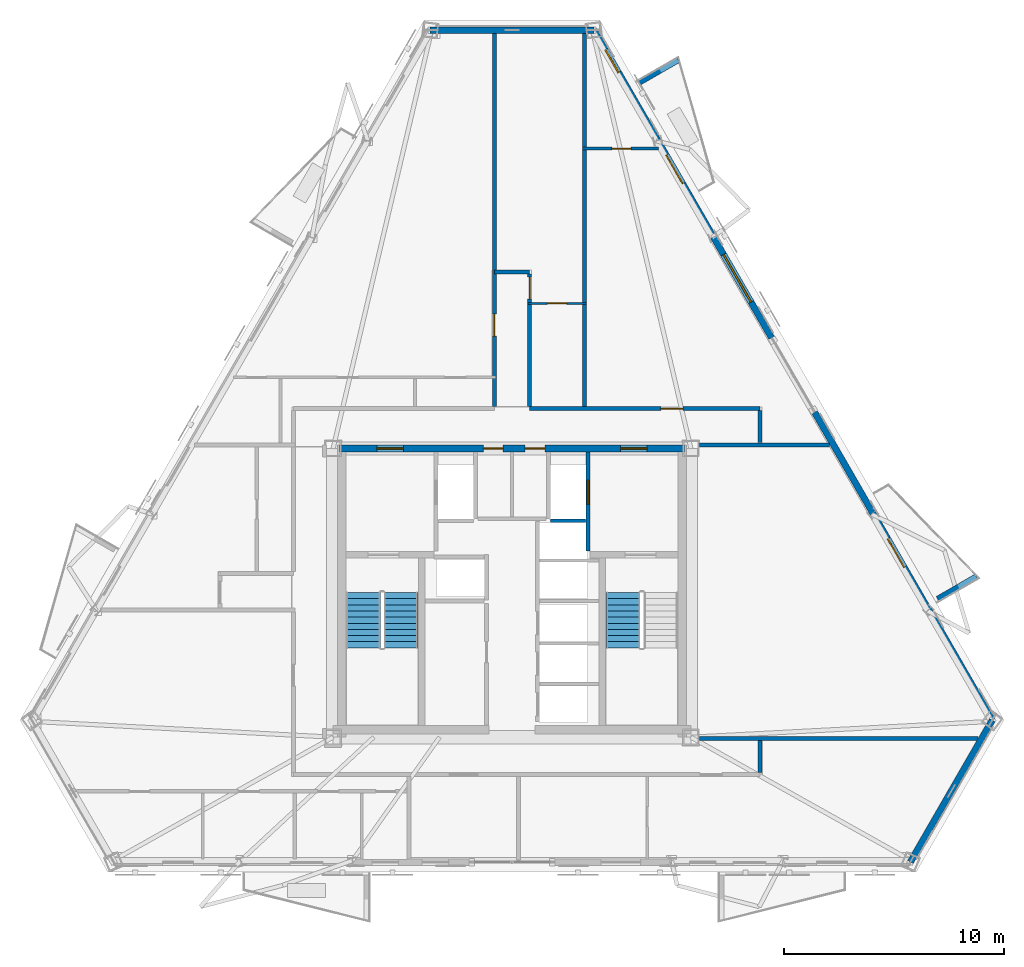
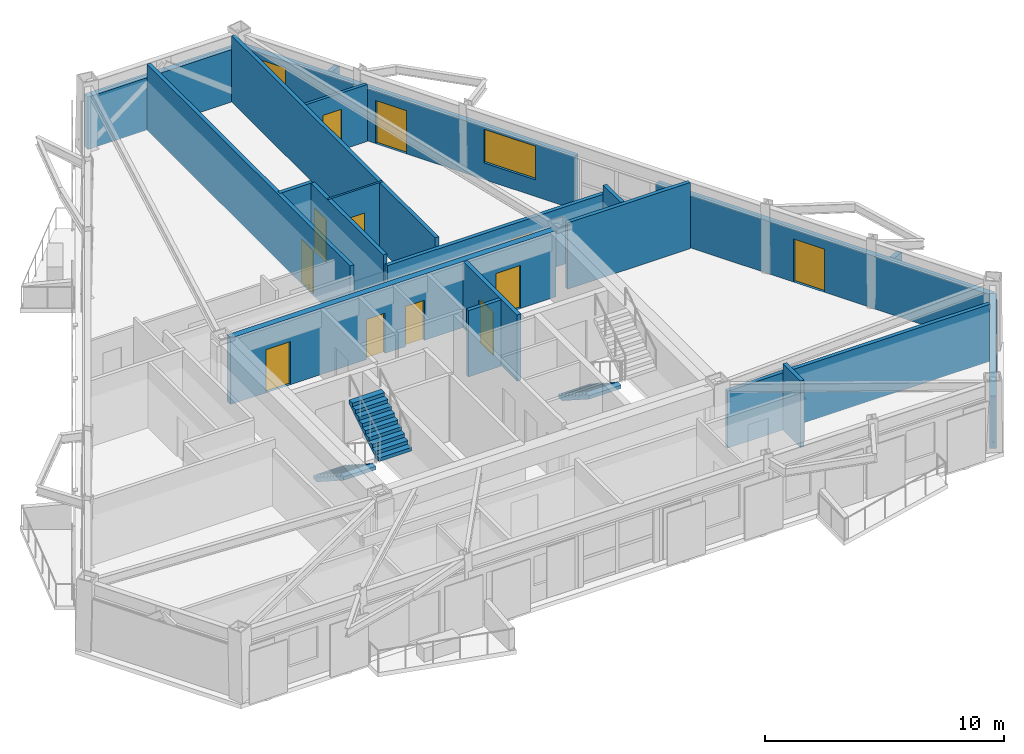
# One storey, part 8 of 13: 20 walls, 12 doors, 3 stair flights, 2 windows, 14 openings, 2 elements without a shape of their own.
"""IFC4 building model written with IfcOpenShell, lengths in metres."""

from ifc_helpers import new_model, si_unit, direction, frame, frame_2d, origin, place, context, subcontext, project, spatial, polyline, rectangle, outline, extrude, material, layer, layer_set, type_object, element, fill, aggregate, save


model = new_model("IFC4")

# Units and contexts
model_context = context("Model", 3, precision=1e-05, world=origin(), true_north=direction((0.0, 1.0)))
body_context = subcontext(model_context, "Body", "Model", "MODEL_VIEW")
ifc_project = project(units=[si_unit("LENGTHUNIT", "METRE"), si_unit("AREAUNIT", "SQUARE_METRE"), si_unit("VOLUMEUNIT", "CUBIC_METRE"), si_unit("PLANEANGLEUNIT", "RADIAN"), si_unit("MASSUNIT", "GRAM", prefix="KILO")], contexts=[model_context])

# Site, building, storey
site_placement = place(None, origin())
site = spatial("IfcSite", under=ifc_project, at=site_placement, CompositionType="ELEMENT")
building_placement = place(site_placement, origin())
building = spatial("IfcBuilding", under=site, at=building_placement, Name="Oramaril Tower", CompositionType="ELEMENT")
storey_placement = place(building_placement, frame((0.0, 0.0, 197.39990234375)))
storey = spatial("IfcBuildingStorey", under=building, at=storey_placement, Name="L52", CompositionType="ELEMENT", Elevation=197.39990234375)

# Wall
ifc_material_1 = material(Name="Warm Cream Limestone", Category="masonry")
ifc_layer_1 = layer(ifc_material_1, 0.2900390625)
ifc_layer_set_1 = layer_set([ifc_layer_1], Name="WT-EXT29")
wall_type_1 = type_object("IfcWallType", Name="WT-EXT29", PredefinedType="SOLIDWALL", material=ifc_layer_set_1)
wall_1_placement = place(storey_placement, frame((55.646728515625, 5.3115234375, 0.0), z_axis=(0.0, 0.0, 1.0), x_axis=(0.499999788377, 0.866025525965, 0.0)))
element("IfcWall", 1, at=wall_1_placement, inside=storey, type_object=wall_type_1, Name="L52 Tower Limestone Facade Wall 3M", PredefinedType="SOLIDWALL", context=body_context, shape_type="SweptSolid", body=[
    extrude(rectangle(XDim=7.4677734375, YDim=0.2900390625, at=frame_2d((3.73388671875, 0.0))), origin(), (0.0, 0.0, 1.0), 2.677001953125),
])

# Wall, opening, door
wall_2_placement = place(storey_placement, frame((59.380615234375, 11.77880859375, 0.0), z_axis=(0.0, 0.0, 1.0), x_axis=(-0.500005595877, 0.866022172979, 0.0)))
wall_2 = element("IfcWall", 2, at=wall_2_placement, inside=storey, type_object=wall_type_1, Name="L52 Tower Limestone Facade Wall 4L", PredefinedType="SOLIDWALL", context=body_context, shape_type="SweptSolid", body=[
    extrude(rectangle(XDim=16.196533203125, YDim=0.2900390625, at=frame_2d((8.09814453125, 0.0))), origin(), (0.0, 0.0, 1.0), 2.677001953125),
])
opening_1_placement = place(wall_2_placement, frame((8.034423828125, 0.0, 0.0)))
opening_1 = element("IfcOpeningElement", 3, at=opening_1_placement, cuts=wall_2, Name="Opening D-L52-BAL-NE1", PredefinedType="OPENING", context=body_context, shape_type="SweptSolid", body=[
    extrude(rectangle(XDim=1.5, YDim=2.199951171875, at=frame_2d((0.75, 1.10009765625))), frame((0.0, 0.14501953125, 0.0), z_axis=(0.0, -1.0, 0.0), x_axis=(1.0, 0.0, 0.0)), (0.0, 0.0, 1.0), 0.2900390625),
])
ifc_material_2 = material(Name="Anodised Aluminium 6063-T6", Category="aluminium")
door_type_1 = type_object("IfcDoorType", Name="DT-BAL", OperationType="NOTDEFINED", PredefinedType="DOOR", material=ifc_material_2)
door_1_placement = place(opening_1_placement, origin())
door_1 = element("IfcDoor", 4, at=door_1_placement, inside=storey, type_object=door_type_1, Name="L52 Balcony Glazed Door L52-BAL-NE1", OperationType="SINGLE_SWING_LEFT", OverallHeight=2.199951171875, OverallWidth=1.5, PredefinedType="DOOR", context=body_context, shape_type="SweptSolid", body=[
    extrude(rectangle(XDim=1.5, YDim=2.199951171875, at=frame_2d((0.75, 1.10009765625))), frame((0.0, 0.02490234375, 0.0), z_axis=(0.0, -1.0, 0.0), x_axis=(1.0, 0.0, 0.0)), (0.0, 0.0, 1.0), 0.050048828125),
])
fill(opening_1, door_1)

# Wall, openings, door, windows
wall_3_placement = place(storey_placement, frame((49.332275390625, 29.18310546875, 0.0), z_axis=(0.0, 0.0, 1.0), x_axis=(-0.499999068849, 0.866025941384, 0.0)))
wall_3 = element("IfcWall", 5, at=wall_3_placement, inside=storey, type_object=wall_type_1, Name="L52 Tower Limestone Facade Wall 4R", PredefinedType="SOLIDWALL", context=body_context, shape_type="SweptSolid", body=[
    extrude(rectangle(XDim=16.19677734375, YDim=0.2900390625, at=frame_2d((8.098388671875, 0.0))), origin(), (0.0, 0.0, 1.0), 2.677001953125),
])
opening_2_placement = place(wall_3_placement, frame((8.117431640625, 0.0, 0.0)))
opening_2 = element("IfcOpeningElement", 6, at=opening_2_placement, cuts=wall_3, Name="Opening D-L52-BAL-NE2", PredefinedType="OPENING", context=body_context, shape_type="SweptSolid", body=[
    extrude(rectangle(XDim=1.5, YDim=2.199951171875, at=frame_2d((0.75, 1.10009765625))), frame((0.0, 0.14501953125, 0.0), z_axis=(0.0, -1.0, 0.0), x_axis=(1.0, 0.0, 0.0)), (0.0, 0.0, 1.0), 0.2900390625),
])
opening_3_placement = place(wall_3_placement, frame((13.9560546875, 0.0, 0.85009765625)))
opening_3 = element("IfcOpeningElement", 7, at=opening_3_placement, cuts=wall_3, Name="Opening WN-09", PredefinedType="OPENING", context=body_context, shape_type="SweptSolid", body=[
    extrude(rectangle(XDim=1.199951171875, YDim=1.47998046875, at=frame_2d((0.60009765625, 0.739990234375))), frame((0.0, 0.14501953125, 0.0), z_axis=(0.0, -1.0, 0.0), x_axis=(1.0, 0.0, 0.0)), (0.0, 0.0, 1.0), 0.2900390625),
])
opening_4_placement = place(wall_3_placement, frame((1.889404296875, 0.0, 0.85009765625)))
opening_4 = element("IfcOpeningElement", 8, at=opening_4_placement, cuts=wall_3, Name="Opening WN-11", PredefinedType="OPENING", context=body_context, shape_type="SweptSolid", body=[
    extrude(rectangle(XDim=2.5, YDim=1.717041015625, at=frame_2d((1.25, 0.8583984375))), frame((0.0, 0.14501953125, 0.0), z_axis=(0.0, -1.0, 0.0), x_axis=(1.0, 0.0, 0.0)), (0.0, 0.0, 1.0), 0.2900390625),
])
door_2_placement = place(opening_2_placement, origin())
door_2 = element("IfcDoor", 9, at=door_2_placement, inside=storey, type_object=door_type_1, Name="L52 Balcony Glazed Door L52-BAL-NE2", OperationType="SINGLE_SWING_RIGHT", OverallHeight=2.199951171875, OverallWidth=1.5, PredefinedType="DOOR", context=body_context, shape_type="SweptSolid", body=[
    extrude(rectangle(XDim=1.5, YDim=2.199951171875, at=frame_2d((0.75, 1.10009765625))), frame((0.0, 0.02490234375, 0.0), z_axis=(0.0, -1.0, 0.0), x_axis=(1.0, 0.0, 0.0)), (0.0, 0.0, 1.0), 0.050048828125),
])
fill(opening_2, door_2)
ifc_material_3 = material(Name="Coastal Low-E Insulated Glass", Category="glass")
window_type_1 = type_object("IfcWindowType", Name="WNT-09", PartitioningType="SINGLE_PANEL", PredefinedType="WINDOW", material=ifc_material_3)
window_1_placement = place(opening_3_placement, origin())
window_1 = element("IfcWindow", 10, at=window_1_placement, inside=storey, type_object=window_type_1, Name="L52 Chicago Bay Window WN-09", OverallHeight=1.47998046875, OverallWidth=1.199951171875, PartitioningType="SINGLE_PANEL", PredefinedType="WINDOW", context=body_context, shape_type="SweptSolid", body=[
    extrude(rectangle(XDim=1.199951171875, YDim=1.47998046875, at=frame_2d((0.60009765625, 0.739990234375))), frame((0.0, 0.030029296875, 0.0), z_axis=(0.0, -1.0, 0.0), x_axis=(1.0, 0.0, 0.0)), (0.0, 0.0, 1.0), 0.06005859375),
])
fill(opening_3, window_1)
ifc_material_4 = material(Name="Coastal Low-E Insulated Glass", Category="glass")
window_type_2 = type_object("IfcWindowType", Name="WNT-11", PartitioningType="SINGLE_PANEL", PredefinedType="WINDOW", material=ifc_material_4)
window_2_placement = place(opening_4_placement, origin())
window_2 = element("IfcWindow", 11, at=window_2_placement, inside=storey, type_object=window_type_2, Name="L52 Chicago Bay Window WN-11", OverallHeight=1.717041015625, OverallWidth=2.5, PartitioningType="SINGLE_PANEL", PredefinedType="WINDOW", context=body_context, shape_type="SweptSolid", body=[
    extrude(rectangle(XDim=2.5, YDim=1.717041015625, at=frame_2d((1.25, 0.8583984375))), frame((0.0, 0.030029296875, 0.0), z_axis=(0.0, -1.0, 0.0), x_axis=(1.0, 0.0, 0.0)), (0.0, 0.0, 1.0), 0.06005859375),
])
fill(opening_4, window_2)

# Walls
wall_4_placement = place(storey_placement, frame((41.23388671875, 43.2099609375, 0.0), z_axis=(0.0, 0.0, 1.0), x_axis=(-1.0, 0.0, 0.0)))
element("IfcWall", 12, at=wall_4_placement, inside=storey, type_object=wall_type_1, Name="L52 Tower Limestone Facade Wall 5M", PredefinedType="SOLIDWALL", context=body_context, shape_type="SweptSolid", body=[
    extrude(rectangle(XDim=7.4677734375, YDim=0.2900390625, at=frame_2d((3.73388671875, 0.0))), origin(), (0.0, 0.0, 1.0), 2.677001953125),
])
ifc_material_5 = material(Name="Concrete C40/50", Category="concrete")
ifc_layer_2 = layer(ifc_material_5, 0.22998046875)
ifc_layer_set_2 = layer_set([ifc_layer_2], Name="WT-PRP23")
wall_type_2 = type_object("IfcWallType", Name="WT-PRP23", PredefinedType="PARAPET", material=ifc_layer_set_2)
for number, where, z_axis, x_axis, name in (
    (13, (56.87890625, 17.30810546875, 0.0), (0.0, 0.0, 1.0), (0.866012356593, 0.500022597718, 0.0), "L52 Trapezoidal Balcony Frame Cheek L52-BAL-NE1-L"),
    (14, (43.308837890625, 40.811767578125, 0.0), (0.0, 0.0, 1.0), (0.866042246008, 0.499970827278, 0.0), "L52 Trapezoidal Balcony Frame Cheek L52-BAL-NE2-R"),
):
    element("IfcWall", number, at=place(storey_placement, frame(where, z_axis=z_axis, x_axis=x_axis)), inside=storey, type_object=wall_type_2, Name=name, PredefinedType="PARAPET", context=body_context, shape_type="SweptSolid", body=[
        extrude(outline(polyline([(0.0, 0.0), (2.0419921875, 0.0), (2.0419921875, 1.10009765625), (0.0, 1.320068359375), (0.0, 0.0)])), frame((0.0, 0.114990234375, 0.0), z_axis=(0.0, -1.0, 0.0), x_axis=(1.0, 0.0, 0.0)), (0.0, 0.0, 1.0), 0.22998046875),
    ])

# Wall, opening, door
ifc_material_6 = material(Name="Acoustic Gypsum Board Partition")
ifc_layer_3 = layer(ifc_material_6, 0.10009765625)
ifc_layer_set_3 = layer_set([ifc_layer_3], Name="WT-PT10")
wall_type_3 = type_object("IfcWallType", Name="WT-PT10", PredefinedType="PARTITIONING", material=ifc_layer_set_3)
wall_5_placement = place(storey_placement, frame((38.218017578125, 30.760009765625, 0.0), z_axis=(0.0, 0.0, 1.0), x_axis=(1.0, 0.0, 0.0)))
wall_5 = element("IfcWall", 15, at=wall_5_placement, inside=storey, type_object=wall_type_3, Name="L52 Interior Partition PT-10", PredefinedType="PARTITIONING", context=body_context, shape_type="SweptSolid", body=[
    extrude(rectangle(XDim=2.6640625, YDim=0.10009765625, at=frame_2d((1.33203125, 0.0))), origin(), (0.0, 0.0, 1.0), 3.380126953125),
])
opening_5_placement = place(wall_5_placement, frame((0.89208984375, 0.0, 0.0)))
opening_5 = element("IfcOpeningElement", 16, at=opening_5_placement, cuts=wall_5, Name="Opening D-L52-11", PredefinedType="OPENING", context=body_context, shape_type="SweptSolid", body=[
    extrude(rectangle(XDim=0.8798828125, YDim=2.080078125, at=frame_2d((0.43994140625, 1.0400390625))), frame((0.0, 0.050048828125, 0.0), z_axis=(0.0, -1.0, 0.0), x_axis=(1.0, 0.0, 0.0)), (0.0, 0.0, 1.0), 0.10009765625),
])
ifc_material_7 = material(Name="FSC Brazilian Freijo Hardwood", Category="wood")
door_type_2 = type_object("IfcDoorType", Name="DT-BATH", OperationType="NOTDEFINED", PredefinedType="DOOR", material=ifc_material_7)
door_3_placement = place(opening_5_placement, origin())
door_3 = element("IfcDoor", 17, at=door_3_placement, inside=storey, type_object=door_type_2, Name="L52 Flat L52-U6 Bathroom Door D-L52-11", OperationType="SINGLE_SWING_LEFT", OverallHeight=2.080078125, OverallWidth=0.8798828125, PredefinedType="DOOR", context=body_context, shape_type="SweptSolid", body=[
    extrude(rectangle(XDim=0.8798828125, YDim=2.080078125, at=frame_2d((0.43994140625, 1.0400390625))), frame((0.0, 0.02490234375, 0.0), z_axis=(0.0, -1.0, 0.0), x_axis=(1.0, 0.0, 0.0)), (0.0, 0.0, 1.0), 0.050048828125),
])
fill(opening_5, door_3)

ifc_material_8 = material(Name="Acoustic Gypsum Board Partition")
ifc_layer_4 = layer(ifc_material_8, 0.139892578125)
ifc_layer_set_4 = layer_set([ifc_layer_4], Name="WT-PT14")
wall_type_4 = type_object("IfcWallType", Name="WT-PT14", PredefinedType="PARTITIONING", material=ifc_layer_set_4)
wall_6_placement = place(storey_placement, frame((40.718017578125, 37.81005859375, 0.0), z_axis=(0.0, 0.0, 1.0), x_axis=(1.0, 0.0, 0.0)))
wall_6 = element("IfcWall", 18, at=wall_6_placement, inside=storey, type_object=wall_type_4, Name="L52 Interior Partition PT-14", PredefinedType="PARTITIONING", context=body_context, shape_type="SweptSolid", body=[
    extrude(rectangle(XDim=3.46142578125, YDim=0.139892578125, at=frame_2d((1.730712890625, 0.0))), origin(), (0.0, 0.0, 1.0), 2.9130859375),
])
opening_6_placement = place(wall_6_placement, frame((1.3310546875, 0.0, 0.0)))
opening_6 = element("IfcOpeningElement", 19, at=opening_6_placement, cuts=wall_6, Name="Opening D-L52-12", PredefinedType="OPENING", context=body_context, shape_type="SweptSolid", body=[
    extrude(rectangle(XDim=0.8798828125, YDim=2.080078125, at=frame_2d((0.43994140625, 1.0400390625))), frame((0.0, 0.06982421875, 0.0), z_axis=(0.0, -1.0, 0.0), x_axis=(1.0, 0.0, 0.0)), (0.0, 0.0, 1.0), 0.139892578125),
])
door_4_placement = place(opening_6_placement, origin())
door_4 = element("IfcDoor", 20, at=door_4_placement, inside=storey, type_object=door_type_2, Name="L52 Flat L52-U7 Bathroom Door D-L52-12", OperationType="SINGLE_SWING_RIGHT", OverallHeight=2.080078125, OverallWidth=0.8798828125, PredefinedType="DOOR", context=body_context, shape_type="SweptSolid", body=[
    extrude(rectangle(XDim=0.8798828125, YDim=2.080078125, at=frame_2d((0.43994140625, 1.0400390625))), frame((0.0, 0.02490234375, 0.0), z_axis=(0.0, -1.0, 0.0), x_axis=(1.0, 0.0, 0.0)), (0.0, 0.0, 1.0), 0.050048828125),
])
fill(opening_6, door_4)

# Walls
ifc_material_9 = material(Name="Autoclaved Cellular Concrete Block", Category="concrete")
ifc_layer_5 = layer(ifc_material_9, 0.179931640625)
ifc_layer_set_5 = layer_set([ifc_layer_5], Name="WT-PT18")
wall_type_5 = type_object("IfcWallType", Name="WT-PT18", PredefinedType="PARTITIONING", material=ifc_layer_set_5)
wall_7_placement = place(storey_placement, frame((39.260009765625, 20.860107421875, 0.0), z_axis=(0.0, 0.0, 1.0), x_axis=(1.0, 0.0, 0.0)))
element("IfcWall", 21, at=wall_7_placement, inside=storey, type_object=wall_type_5, Name="L52 FL-2 South Shaft Wall", PredefinedType="PARTITIONING", context=body_context, shape_type="SweptSolid", body=[
    extrude(rectangle(XDim=1.580078125, YDim=0.179931640625, at=frame_2d((0.7900390625, 0.0))), origin(), (0.0, 0.0, 1.0), 3.380126953125),
])
wall_8_placement = place(storey_placement, frame((46.0400390625, 10.949951171875, 0.0), z_axis=(0.0, 0.0, 1.0), x_axis=(1.0, 0.0, 0.0)))
element("IfcWall", 22, at=wall_8_placement, inside=storey, type_object=wall_type_5, Name="L52 Interior Partition PT-18", PredefinedType="PARTITIONING", context=body_context, shape_type="SweptSolid", body=[
    extrude(rectangle(XDim=12.68994140625, YDim=0.179931640625, at=frame_2d((6.344970703125, 0.0))), origin(), (0.0, 0.0, 1.0), 2.9130859375),
])
wall_9_placement = place(storey_placement, frame((46.0400390625, 24.320068359375, 0.0), z_axis=(0.0, 0.0, 1.0), x_axis=(1.0, 0.0, 0.0)))
element("IfcWall", 23, at=wall_9_placement, inside=storey, type_object=wall_type_5, Name="L52 Interior Partition PT-18", PredefinedType="PARTITIONING", context=body_context, shape_type="SweptSolid", body=[
    extrude(rectangle(XDim=5.927734375, YDim=0.179931640625, at=frame_2d((2.9638671875, 0.0))), origin(), (0.0, 0.0, 1.0), 3.380126953125),
])

# Wall, opening, door
wall_10_placement = place(storey_placement, frame((38.300048828125, 25.969970703125, 0.0), z_axis=(0.0, 0.0, 1.0), x_axis=(1.0, 0.0, 0.0)))
wall_10 = element("IfcWall", 24, at=wall_10_placement, inside=storey, type_object=wall_type_5, Name="L52 Interior Partition PT-18", PredefinedType="PARTITIONING", context=body_context, shape_type="SweptSolid", body=[
    extrude(rectangle(XDim=10.5, YDim=0.179931640625, at=frame_2d((5.25, 0.0))), origin(), (0.0, 0.0, 1.0), 2.9130859375),
])
opening_7_placement = place(wall_10_placement, frame((5.97900390625, 0.0, 0.0)))
opening_7 = element("IfcOpeningElement", 25, at=opening_7_placement, cuts=wall_10, Name="Opening D-L52-07", PredefinedType="OPENING", context=body_context, shape_type="SweptSolid", body=[
    extrude(rectangle(XDim=1.0, YDim=2.179931640625, at=frame_2d((0.5, 1.08984375))), frame((0.0, 0.08984375, 0.0), z_axis=(0.0, -1.0, 0.0), x_axis=(1.0, 0.0, 0.0)), (0.0, 0.0, 1.0), 0.179931640625),
])
ifc_material_10 = material(Name="FSC Brazilian Freijo Hardwood", Category="wood")
door_type_3 = type_object("IfcDoorType", Name="DT-APT", OperationType="NOTDEFINED", PredefinedType="DOOR", material=ifc_material_10)
door_5_placement = place(opening_7_placement, origin())
door_5 = element("IfcDoor", 26, at=door_5_placement, inside=storey, type_object=door_type_3, Name="L52 Flat L52-U7 Kitchen and Studio Apartment Door D-L52-07", OperationType="SINGLE_SWING_LEFT", OverallHeight=2.179931640625, OverallWidth=1.0, PredefinedType="DOOR", context=body_context, shape_type="SweptSolid", body=[
    extrude(rectangle(XDim=1.0, YDim=2.179931640625, at=frame_2d((0.5, 1.08984375))), frame((0.0, 0.02490234375, 0.0), z_axis=(0.0, -1.0, 0.0), x_axis=(1.0, 0.0, 0.0)), (0.0, 0.0, 1.0), 0.050048828125),
])
fill(opening_7, door_5)

# Wall
wall_11_placement = place(storey_placement, frame((36.699951171875, 32.199951171875, 0.0), z_axis=(0.0, 0.0, 1.0), x_axis=(1.0, 0.0, 0.0)))
element("IfcWall", 27, at=wall_11_placement, inside=storey, type_object=wall_type_5, Name="L52 Interior Partition PT-18", PredefinedType="PARTITIONING", context=body_context, shape_type="SweptSolid", body=[
    extrude(rectangle(XDim=1.60009765625, YDim=0.179931640625, at=frame_2d((0.800048828125, 0.0))), origin(), (0.0, 0.0, 1.0), 3.380126953125),
])

# Wall, opening, door
wall_12_placement = place(storey_placement, frame((36.699951171875, 26.06396484375, 0.0), z_axis=(0.0, 0.0, 1.0), x_axis=(0.0, 1.0, 0.0)))
wall_12 = element("IfcWall", 28, at=wall_12_placement, inside=storey, type_object=wall_type_5, Name="L52 Interior Partition PT-18", PredefinedType="PARTITIONING", context=body_context, shape_type="SweptSolid", body=[
    extrude(rectangle(XDim=16.996826171875, YDim=0.179931640625, at=frame_2d((8.49853515625, 0.0))), origin(), (0.0, 0.0, 1.0), 3.380126953125),
])
opening_8_placement = place(wall_12_placement, frame((3.2099609375, 0.0, 0.0)))
opening_8 = element("IfcOpeningElement", 29, at=opening_8_placement, cuts=wall_12, Name="Opening D-L52-16", PredefinedType="OPENING", context=body_context, shape_type="SweptSolid", body=[
    extrude(rectangle(XDim=1.0, YDim=2.179931640625, at=frame_2d((0.5, 1.08984375))), frame((0.0, 0.08984375, 0.0), z_axis=(0.0, -1.0, 0.0), x_axis=(1.0, 0.0, 0.0)), (0.0, 0.0, 1.0), 0.179931640625),
])
door_6_placement = place(opening_8_placement, origin())
door_6 = element("IfcDoor", 30, at=door_6_placement, inside=storey, type_object=door_type_3, Name="L52 Flat L52-U5 Studio Apartment Door D-L52-16", OperationType="SINGLE_SWING_RIGHT", OverallHeight=2.179931640625, OverallWidth=1.0, PredefinedType="DOOR", context=body_context, shape_type="SweptSolid", body=[
    extrude(rectangle(XDim=1.0, YDim=2.179931640625, at=frame_2d((0.5, 1.08984375))), frame((0.0, 0.02490234375, 0.0), z_axis=(0.0, -1.0, 0.0), x_axis=(1.0, 0.0, 0.0)), (0.0, 0.0, 1.0), 0.050048828125),
])
fill(opening_8, door_6)

wall_13_placement = place(storey_placement, frame((38.300048828125, 26.06396484375, 0.0), z_axis=(0.0, 0.0, 1.0), x_axis=(0.0, 1.0, 0.0)))
wall_13 = element("IfcWall", 31, at=wall_13_placement, inside=storey, type_object=wall_type_5, Name="L52 Interior Partition PT-18", PredefinedType="PARTITIONING", context=body_context, shape_type="SweptSolid", body=[
    extrude(rectangle(XDim=6.0419921875, YDim=0.179931640625, at=frame_2d((3.02099609375, 0.0))), origin(), (0.0, 0.0, 1.0), 3.380126953125),
])
opening_9_placement = place(wall_13_placement, frame((4.89208984375, 0.0, 0.0)))
opening_9 = element("IfcOpeningElement", 32, at=opening_9_placement, cuts=wall_13, Name="Opening D-L52-17", PredefinedType="OPENING", context=body_context, shape_type="SweptSolid", body=[
    extrude(rectangle(XDim=1.0, YDim=2.179931640625, at=frame_2d((0.5, 1.08984375))), frame((0.0, 0.08984375, 0.0), z_axis=(0.0, -1.0, 0.0), x_axis=(1.0, 0.0, 0.0)), (0.0, 0.0, 1.0), 0.179931640625),
])
door_7_placement = place(opening_9_placement, origin())
door_7 = element("IfcDoor", 33, at=door_7_placement, inside=storey, type_object=door_type_3, Name="L52 Flat L52-U6 Kitchen and Studio Apartment Door D-L52-17", OperationType="SINGLE_SWING_LEFT", OverallHeight=2.179931640625, OverallWidth=1.0, PredefinedType="DOOR", context=body_context, shape_type="SweptSolid", body=[
    extrude(rectangle(XDim=1.0, YDim=2.179931640625, at=frame_2d((0.5, 1.08984375))), frame((0.0, 0.02490234375, 0.0), z_axis=(0.0, -1.0, 0.0), x_axis=(1.0, 0.0, 0.0)), (0.0, 0.0, 1.0), 0.050048828125),
])
fill(opening_9, door_7)

# Walls
wall_14_placement = place(storey_placement, frame((40.800048828125, 26.06396484375, 0.0), z_axis=(0.0, 0.0, 1.0), x_axis=(0.0, 1.0, 0.0)))
element("IfcWall", 34, at=wall_14_placement, inside=storey, type_object=wall_type_5, Name="L52 Interior Partition PT-18", PredefinedType="PARTITIONING", context=body_context, shape_type="SweptSolid", body=[
    extrude(rectangle(XDim=16.996826171875, YDim=0.179931640625, at=frame_2d((8.49853515625, 0.0))), origin(), (0.0, 0.0, 1.0), 3.380126953125),
])
for number, where, z_axis, x_axis, name in (
    (35, (48.800048828125, 9.39404296875, 0.0), (0.0, 0.0, 1.0), (0.0, 1.0, 0.0), "L52 Interior Partition PT-18"),
    (36, (48.800048828125, 24.4140625, 0.0), (0.0, 0.0, 1.0), (0.0, 1.0, 0.0), "L52 Interior Partition PT-18"),
):
    element("IfcWall", number, at=place(storey_placement, frame(where, z_axis=z_axis, x_axis=x_axis)), inside=storey, type_object=wall_type_5, Name=name, PredefinedType="PARTITIONING", context=body_context, shape_type="SweptSolid", body=[
        extrude(rectangle(XDim=1.4619140625, YDim=0.179931640625, at=frame_2d((0.73095703125, 0.0))), origin(), (0.0, 0.0, 1.0), 3.380126953125),
    ])

# Wall, openings, doors
ifc_material_11 = material(Name="Concrete C50/60", Category="concrete")
ifc_layer_6 = layer(ifc_material_11, 0.300048828125)
ifc_layer_set_6 = layer_set([ifc_layer_6], Name="WT-SH30")
wall_type_6 = type_object("IfcWallType", Name="WT-SH30", PredefinedType="SHEAR", material=ifc_layer_set_6)
wall_15_placement = place(storey_placement, frame((29.64990234375, 24.14990234375, 0.0), z_axis=(0.0, 0.0, 1.0), x_axis=(1.0, 0.0, 0.0)))
wall_15 = element("IfcWall", 37, at=wall_15_placement, inside=storey, type_object=wall_type_6, Name="L52 Core Shear Wall CW-N", PredefinedType="SHEAR", context=body_context, shape_type="SweptSolid", body=[
    extrude(rectangle(XDim=15.7001953125, YDim=0.300048828125, at=frame_2d((7.85009765625, 0.0))), origin(), (0.0, 0.0, 1.0), 3.380126953125),
])
opening_10_placement = place(wall_15_placement, frame((1.699951171875, 0.0, 0.0)))
opening_10 = element("IfcOpeningElement", 38, at=opening_10_placement, cuts=wall_15, Name="Opening D-L52-FFL1", PredefinedType="OPENING", context=body_context, shape_type="SweptSolid", body=[
    extrude(rectangle(XDim=1.199951171875, YDim=2.199951171875, at=frame_2d((0.60009765625, 1.10009765625))), frame((0.0, 0.14990234375, 0.0), z_axis=(0.0, -1.0, 0.0), x_axis=(1.0, 0.0, 0.0)), (0.0, 0.0, 1.0), 0.300048828125),
])
opening_11_placement = place(wall_15_placement, frame((12.800048828125, 0.0, 0.0)))
opening_11 = element("IfcOpeningElement", 39, at=opening_11_placement, cuts=wall_15, Name="Opening D-L52-FFL2", PredefinedType="OPENING", context=body_context, shape_type="SweptSolid", body=[
    extrude(rectangle(XDim=1.199951171875, YDim=2.199951171875, at=frame_2d((0.60009765625, 1.10009765625))), frame((0.0, 0.14990234375, 0.0), z_axis=(0.0, -1.0, 0.0), x_axis=(1.0, 0.0, 0.0)), (0.0, 0.0, 1.0), 0.300048828125),
])
opening_12_placement = place(wall_15_placement, frame((6.550048828125, 0.0, 0.0)))
opening_12 = element("IfcOpeningElement", 40, at=opening_12_placement, cuts=wall_15, Name="Opening D-L52-SV1", PredefinedType="OPENING", context=body_context, shape_type="SweptSolid", body=[
    extrude(rectangle(XDim=0.89990234375, YDim=2.050048828125, at=frame_2d((0.449951171875, 1.02490234375))), frame((0.0, 0.14990234375, 0.0), z_axis=(0.0, -1.0, 0.0), x_axis=(1.0, 0.0, 0.0)), (0.0, 0.0, 1.0), 0.300048828125),
])
opening_13_placement = place(wall_15_placement, frame((8.449951171875, 0.0, 0.0)))
opening_13 = element("IfcOpeningElement", 41, at=opening_13_placement, cuts=wall_15, Name="Opening D-L52-SV2", PredefinedType="OPENING", context=body_context, shape_type="SweptSolid", body=[
    extrude(rectangle(XDim=0.89990234375, YDim=2.050048828125, at=frame_2d((0.449951171875, 1.02490234375))), frame((0.0, 0.14990234375, 0.0), z_axis=(0.0, -1.0, 0.0), x_axis=(1.0, 0.0, 0.0)), (0.0, 0.0, 1.0), 0.300048828125),
])
ifc_material_12 = material(Name="Painted Galvanised Steel", Category="steel")
door_type_4 = type_object("IfcDoorType", Name="DT-FFL", OperationType="NOTDEFINED", PredefinedType="DOOR", material=ifc_material_12)
door_8_placement = place(opening_10_placement, origin())
door_8 = element("IfcDoor", 42, at=door_8_placement, inside=storey, type_object=door_type_4, Name="L52 Firefighting Lobby 1 Fire Door", OperationType="SINGLE_SWING_LEFT", OverallHeight=2.199951171875, OverallWidth=1.199951171875, PredefinedType="DOOR", context=body_context, shape_type="SweptSolid", body=[
    extrude(rectangle(XDim=1.199951171875, YDim=2.199951171875, at=frame_2d((0.60009765625, 1.10009765625))), frame((0.0, 0.02490234375, 0.0), z_axis=(0.0, -1.0, 0.0), x_axis=(1.0, 0.0, 0.0)), (0.0, 0.0, 1.0), 0.050048828125),
])
fill(opening_10, door_8)
door_9_placement = place(opening_11_placement, origin())
door_9 = element("IfcDoor", 43, at=door_9_placement, inside=storey, type_object=door_type_4, Name="L52 Firefighting Lobby 2 Fire Door", OperationType="SINGLE_SWING_RIGHT", OverallHeight=2.199951171875, OverallWidth=1.199951171875, PredefinedType="DOOR", context=body_context, shape_type="SweptSolid", body=[
    extrude(rectangle(XDim=1.199951171875, YDim=2.199951171875, at=frame_2d((0.60009765625, 1.10009765625))), frame((0.0, 0.02490234375, 0.0), z_axis=(0.0, -1.0, 0.0), x_axis=(1.0, 0.0, 0.0)), (0.0, 0.0, 1.0), 0.050048828125),
])
fill(opening_11, door_9)
ifc_material_13 = material(Name="Painted Galvanised Steel", Category="steel")
door_type_5 = type_object("IfcDoorType", Name="DT-SVC", OperationType="NOTDEFINED", PredefinedType="DOOR", material=ifc_material_13)
door_10_placement = place(opening_12_placement, origin())
door_10 = element("IfcDoor", 44, at=door_10_placement, inside=storey, type_object=door_type_5, Name="L52 Core Service Store 1 Door", OperationType="SINGLE_SWING_LEFT", OverallHeight=2.050048828125, OverallWidth=0.89990234375, PredefinedType="DOOR", context=body_context, shape_type="SweptSolid", body=[
    extrude(rectangle(XDim=0.89990234375, YDim=2.050048828125, at=frame_2d((0.449951171875, 1.02490234375))), frame((0.0, 0.02490234375, 0.0), z_axis=(0.0, -1.0, 0.0), x_axis=(1.0, 0.0, 0.0)), (0.0, 0.0, 1.0), 0.050048828125),
])
fill(opening_12, door_10)
door_11_placement = place(opening_13_placement, origin())
door_11 = element("IfcDoor", 45, at=door_11_placement, inside=storey, type_object=door_type_5, Name="L52 Core Service Store 2 Door", OperationType="SINGLE_SWING_RIGHT", OverallHeight=2.050048828125, OverallWidth=0.89990234375, PredefinedType="DOOR", context=body_context, shape_type="SweptSolid", body=[
    extrude(rectangle(XDim=0.89990234375, YDim=2.050048828125, at=frame_2d((0.449951171875, 1.02490234375))), frame((0.0, 0.02490234375, 0.0), z_axis=(0.0, -1.0, 0.0), x_axis=(1.0, 0.0, 0.0)), (0.0, 0.0, 1.0), 0.050048828125),
])
fill(opening_13, door_11)

# Wall, opening, door
ifc_material_14 = material(Name="Autoclaved Cellular Concrete Block", Category="concrete")
ifc_layer_7 = layer(ifc_material_14, 0.199951171875)
ifc_layer_set_7 = layer_set([ifc_layer_7], Name="WT-SHF20")
wall_type_7 = type_object("IfcWallType", Name="WT-SHF20", PredefinedType="PARTITIONING", material=ifc_layer_set_7)
wall_16_placement = place(storey_placement, frame((40.9599609375, 19.47998046875, 0.0), z_axis=(0.0, 0.0, 1.0), x_axis=(0.0, 1.0, 0.0)))
wall_16 = element("IfcWall", 46, at=wall_16_placement, inside=storey, type_object=wall_type_7, Name="L52 FL-2 Lobby Shaft Wall", PredefinedType="PARTITIONING", context=body_context, shape_type="SweptSolid", body=[
    extrude(rectangle(XDim=4.5, YDim=0.199951171875, at=frame_2d((2.25, 0.0))), origin(), (0.0, 0.0, 1.0), 3.380126953125),
])
opening_14_placement = place(wall_16_placement, frame((2.1201171875, 0.0, 0.0)))
opening_14 = element("IfcOpeningElement", 47, at=opening_14_placement, cuts=wall_16, Name="Opening LD-L52-FL-2", PredefinedType="OPENING", context=body_context, shape_type="SweptSolid", body=[
    extrude(rectangle(XDim=1.10009765625, YDim=2.199951171875, at=frame_2d((0.550048828125, 1.10009765625))), frame((0.0, 0.10009765625, 0.0), z_axis=(0.0, -1.0, 0.0), x_axis=(1.0, 0.0, 0.0)), (0.0, 0.0, 1.0), 0.199951171875),
])
ifc_material_15 = material(Name="Stainless Steel 316L", Category="steel")
door_type_6 = type_object("IfcDoorType", Name="DT-LD1", OperationType="NOTDEFINED", PredefinedType="DOOR", material=ifc_material_15)
door_12_placement = place(opening_14_placement, origin())
door_12 = element("IfcDoor", 48, at=door_12_placement, inside=storey, type_object=door_type_6, Name="L52 Lift FL-2 Sliding Landing Door", OperationType="SLIDING_TO_RIGHT", OverallHeight=2.199951171875, OverallWidth=1.10009765625, PredefinedType="DOOR", context=body_context, shape_type="SweptSolid", body=[
    extrude(rectangle(XDim=1.10009765625, YDim=2.199951171875, at=frame_2d((0.550048828125, 1.10009765625))), frame((0.0, 0.02490234375, 0.0), z_axis=(0.0, -1.0, 0.0), x_axis=(1.0, 0.0, 0.0)), (0.0, 0.0, 1.0), 0.050048828125),
])
fill(opening_14, door_12)

# Stair, stair flights
ifc_material_16 = material(Name="Concrete C50/60", Category="concrete")
stair_type = type_object("IfcStairType", Name="STT-DG-3600", PredefinedType="HALF_TURN_STAIR", material=ifc_material_16)
stair_1_placement = place(storey_placement, origin())
stair_1 = element("IfcStair", 49, at=stair_1_placement, inside=storey, type_object=stair_type, Name="L52 Protected PFP Exit Stair ST-1", PredefinedType="HALF_TURN_STAIR")
ifc_material_17 = material(Name="Concrete C50/60", Category="concrete")
stair_flight_type = type_object("IfcStairFlightType", Name="SFT-DG-3600", PredefinedType="STRAIGHT", material=ifc_material_17)
stair_flight_1_placement = place(storey_placement, frame((30.72998046875, 17.590087890625, 0.0), z_axis=(0.0, 0.0, 1.0), x_axis=(0.0, -1.0, 0.0)))
stair_flight_1 = element("IfcStairFlight", 50, at=stair_flight_1_placement, type_object=stair_flight_type, Name="ST-1 flight 1", NumberOfRisers=10, NumberOfTreads=9, PredefinedType="STRAIGHT", RiserHeight=0.18, TreadLength=0.28, context=body_context, shape_type="SweptSolid", body=[
    extrude(outline(polyline([(0.0, 0.0), (0.0, 0.179931640625), (0.280029296875, 0.179931640625), (0.280029296875, 0.360107421875), (0.56005859375, 0.360107421875), (0.56005859375, 0.5400390625), (0.840087890625, 0.5400390625), (0.840087890625, 0.719970703125), (1.1201171875, 0.719970703125), (1.1201171875, 0.89990234375), (1.39990234375, 0.89990234375), (1.39990234375, 1.080078125), (1.679931640625, 1.080078125), (1.679931640625, 1.260009765625), (1.9599609375, 1.260009765625), (1.9599609375, 1.43994140625), (2.239990234375, 1.43994140625), (2.239990234375, 1.6201171875), (2.52001953125, 1.6201171875), (2.52001953125, 1.800048828125), (2.52001953125, 1.44189453125), (0.277099609375, 0.0), (0.0, 0.0)])), frame((0.0, 0.780029296875, 0.0), z_axis=(0.0, -1.0, 0.0), x_axis=(1.0, 0.0, 0.0)), (0.0, 0.0, 1.0), 1.56005859375),
])
stair_flight_2_placement = place(storey_placement, frame((32.43994140625, 15.070068359375, 1.800048828125), z_axis=(0.0, 0.0, 1.0), x_axis=(0.0, 1.0, 0.0)))
stair_flight_2 = element("IfcStairFlight", 51, at=stair_flight_2_placement, type_object=stair_flight_type, Name="ST-1 flight 2", NumberOfRisers=10, NumberOfTreads=9, PredefinedType="STRAIGHT", RiserHeight=0.18, TreadLength=0.28, context=body_context, shape_type="SweptSolid", body=[
    extrude(outline(polyline([(0.0, 0.0), (0.0, 0.179931640625), (0.280029296875, 0.179931640625), (0.280029296875, 0.360107421875), (0.56005859375, 0.360107421875), (0.56005859375, 0.5400390625), (0.840087890625, 0.5400390625), (0.840087890625, 0.719970703125), (1.1201171875, 0.719970703125), (1.1201171875, 0.89990234375), (1.39990234375, 0.89990234375), (1.39990234375, 1.080078125), (1.679931640625, 1.080078125), (1.679931640625, 1.260009765625), (1.9599609375, 1.260009765625), (1.9599609375, 1.43994140625), (2.239990234375, 1.43994140625), (2.239990234375, 1.6201171875), (2.52001953125, 1.6201171875), (2.52001953125, 1.800048828125), (2.52001953125, 1.44189453125), (0.277099609375, 0.0), (0.0, 0.0)])), frame((0.0, 0.780029296875, 0.0), z_axis=(0.0, -1.0, 0.0), x_axis=(1.0, 0.0, 0.0)), (0.0, 0.0, 1.0), 1.56005859375),
])
aggregate(stair_1, [stair_flight_1, stair_flight_2])

# Stair, stair flight
stair_2_placement = place(storey_placement, origin())
stair_2 = element("IfcStair", 52, at=stair_2_placement, inside=storey, type_object=stair_type, Name="L52 Protected PFP Exit Stair ST-2", PredefinedType="HALF_TURN_STAIR")
stair_flight_3_placement = place(storey_placement, frame((42.56005859375, 17.590087890625, 0.0), z_axis=(0.0, 0.0, 1.0), x_axis=(0.0, -1.0, 0.0)))
stair_flight_3 = element("IfcStairFlight", 53, at=stair_flight_3_placement, type_object=stair_flight_type, Name="ST-2 flight 1", NumberOfRisers=10, NumberOfTreads=9, PredefinedType="STRAIGHT", RiserHeight=0.18, TreadLength=0.28, context=body_context, shape_type="SweptSolid", body=[
    extrude(outline(polyline([(0.0, 0.0), (0.0, 0.179931640625), (0.280029296875, 0.179931640625), (0.280029296875, 0.360107421875), (0.56005859375, 0.360107421875), (0.56005859375, 0.5400390625), (0.840087890625, 0.5400390625), (0.840087890625, 0.719970703125), (1.1201171875, 0.719970703125), (1.1201171875, 0.89990234375), (1.39990234375, 0.89990234375), (1.39990234375, 1.080078125), (1.679931640625, 1.080078125), (1.679931640625, 1.260009765625), (1.9599609375, 1.260009765625), (1.9599609375, 1.43994140625), (2.239990234375, 1.43994140625), (2.239990234375, 1.6201171875), (2.52001953125, 1.6201171875), (2.52001953125, 1.800048828125), (2.52001953125, 1.44189453125), (0.277099609375, 0.0), (0.0, 0.0)])), frame((0.0, 0.780029296875, 0.0), z_axis=(0.0, -1.0, 0.0), x_axis=(1.0, 0.0, 0.0)), (0.0, 0.0, 1.0), 1.56005859375),
])
aggregate(stair_2, [stair_flight_3])

save(model, "model.ifc")
